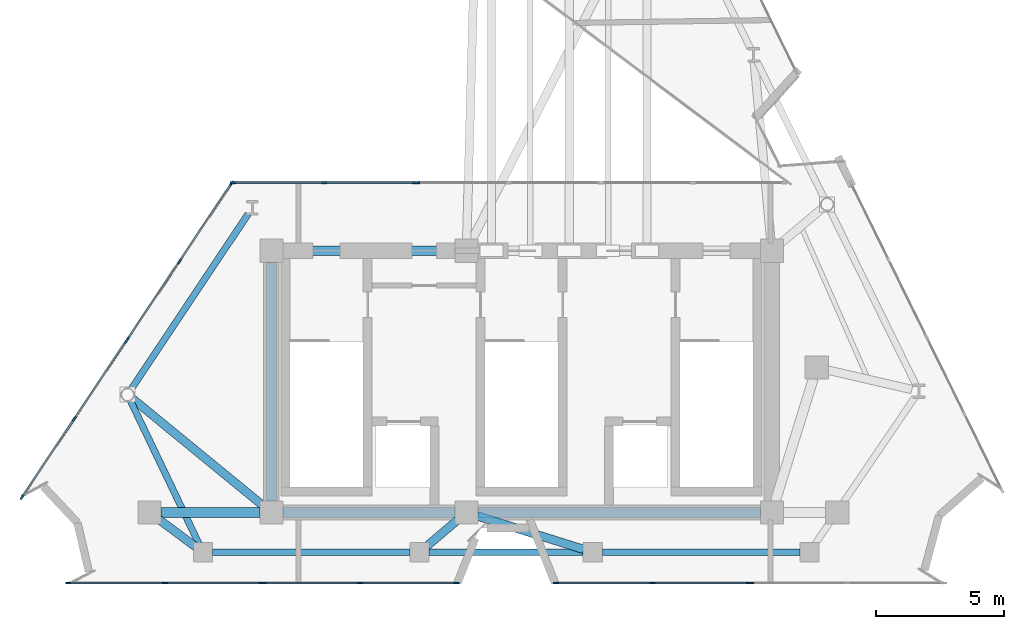
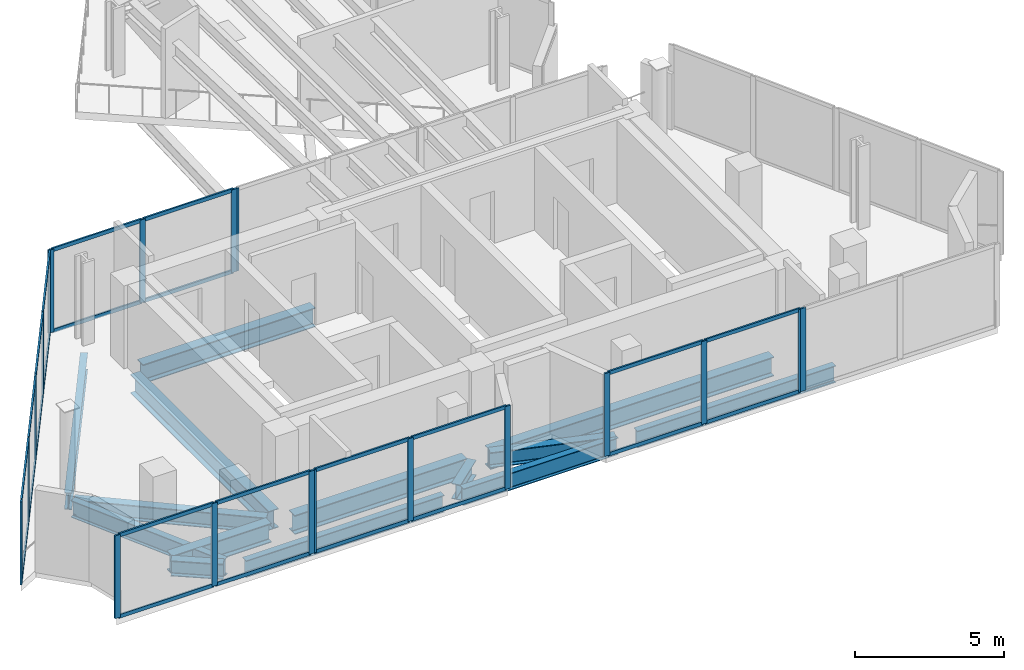
# One storey, part 2 of 7: 44 members, 14 beams, 8 elements without a shape of their own.
"""IFC4 building model written with IfcOpenShell, lengths in metres."""

from ifc_helpers import new_model, si_unit, direction, frame, origin, origin_2d, place, context, subcontext, project, spatial, rectangle, i_section, extrude, material, layer, layer_set, material_profile, profile_set, type_object, element, aggregate, save


model = new_model("IFC4")

# Units and contexts
model_context = context("Model", 3, precision=1e-05, world=origin(), true_north=direction((0.0, 1.0)))
body_context = subcontext(model_context, "Body", "Model", "MODEL_VIEW")
ifc_project = project(units=[si_unit("LENGTHUNIT", "METRE"), si_unit("AREAUNIT", "SQUARE_METRE"), si_unit("VOLUMEUNIT", "CUBIC_METRE"), si_unit("PLANEANGLEUNIT", "RADIAN"), si_unit("MASSUNIT", "GRAM", prefix="KILO")], contexts=[model_context])

# Site, building, storey
site_placement = place(None, origin())
site = spatial("IfcSite", under=ifc_project, at=site_placement, CompositionType="ELEMENT")
building_placement = place(site_placement, origin())
building = spatial("IfcBuilding", under=site, at=building_placement, Name="Almagre Mirador Tower", CompositionType="ELEMENT")
storey_placement = place(building_placement, frame((0.0, 0.0, 318.5)))
storey = spatial("IfcBuildingStorey", under=building, at=storey_placement, Name="L82", CompositionType="ELEMENT", Elevation=318.5)

# Beams
ifc_material_1 = material(Name="Steel ASTM A992 Grade 50", Category="steel")
ifc_material_profile_1 = material_profile(ifc_material_1, i_section(OverallWidth=0.256103515625, OverallDepth=0.693115234375, WebThickness=0.014404296875, FlangeThickness=0.023681640625, FilletRadius=0.02197265625, at=origin_2d()), Name="W27X114")
ifc_profile_set_1 = profile_set([ifc_material_profile_1], Name="Steel ASTM A992 Grade 50")
beam_type_1 = type_object("IfcBeamType", Name="BM-SPN-W27X114", PredefinedType="SPANDREL", material=ifc_profile_set_1)
beam_1_placement = place(storey_placement, frame((25.259033203125, 3.0, -0.646484375), z_axis=(1.0, 0.0, 0.0), x_axis=(0.0, 1.0, 0.0)))
element("IfcBeam", 1, at=beam_1_placement, inside=storey, type_object=beam_type_1, Name="L82 perimeter spandrel beam PC01-PC02", PredefinedType="SPANDREL", context=body_context, shape_type="SweptSolid", body=[
    extrude(i_section(OverallWidth=0.256103515625, OverallDepth=0.693115234375, WebThickness=0.014404296875, FlangeThickness=0.023681640625, FilletRadius=0.02197265625, at=origin_2d()), origin(), (0.0, 0.0, 1.0), 7.68994140625),
])
beam_2_placement = place(storey_placement, frame((33.698974609375, 3.0, -0.646484375), z_axis=(1.0, 0.0, 0.0), x_axis=(0.0, 1.0, 0.0)))
element("IfcBeam", 2, at=beam_2_placement, inside=storey, type_object=beam_type_1, Name="L82 perimeter spandrel beam PC02-PC03", PredefinedType="SPANDREL", context=body_context, shape_type="SweptSolid", body=[
    extrude(i_section(OverallWidth=0.256103515625, OverallDepth=0.693115234375, WebThickness=0.014404296875, FlangeThickness=0.023681640625, FilletRadius=0.02197265625, at=origin_2d()), origin(), (0.0, 0.0, 1.0), 6.001953125),
])
beam_3_placement = place(storey_placement, frame((40.450927734375, 3.0, -0.646484375), z_axis=(1.0, 0.0, 0.0), x_axis=(0.0, 1.0, 0.0)))
element("IfcBeam", 3, at=beam_3_placement, inside=storey, type_object=beam_type_1, Name="L82 perimeter spandrel beam PC03-PC04", PredefinedType="SPANDREL", context=body_context, shape_type="SweptSolid", body=[
    extrude(i_section(OverallWidth=0.256103515625, OverallDepth=0.693115234375, WebThickness=0.014404296875, FlangeThickness=0.023681640625, FilletRadius=0.02197265625, at=origin_2d()), origin(), (0.0, 0.0, 1.0), 7.690185546875),
])
beam_4_placement = place(storey_placement, frame((26.645751953125, 16.18505859375, -0.646484375), z_axis=(-0.555219210279, -0.831704051052, 0.0), x_axis=(0.831704051052, -0.555219210279, 0.0)))
element("IfcBeam", 4, at=beam_4_placement, inside=storey, type_object=beam_type_1, Name="L82 perimeter spandrel beam PC11-PC12", PredefinedType="SPANDREL", context=body_context, shape_type="SweptSolid", body=[
    extrude(i_section(OverallWidth=0.256103515625, OverallDepth=0.693115234375, WebThickness=0.014404296875, FlangeThickness=0.023681640625, FilletRadius=0.02197265625, at=origin_2d()), origin(), (0.0, 0.0, 1.0), 8.248291015625),
])
beam_5_placement = place(storey_placement, frame((22.0390625, 8.943603515625, -0.646484375), z_axis=(0.431747396031, -0.901994559862, 0.0), x_axis=(0.901994559862, 0.431747396031, 0.0)))
element("IfcBeam", 5, at=beam_5_placement, inside=storey, type_object=beam_type_1, Name="L82 perimeter spandrel beam PC12-PC01", PredefinedType="SPANDREL", context=body_context, shape_type="SweptSolid", body=[
    extrude(i_section(OverallWidth=0.256103515625, OverallDepth=0.693115234375, WebThickness=0.014404296875, FlangeThickness=0.023681640625, FilletRadius=0.02197265625, at=origin_2d()), origin(), (0.0, 0.0, 1.0), 6.214599609375),
])
ifc_material_2 = material(Name="Steel ASTM A992 Grade 50", Category="steel")
ifc_material_profile_2 = material_profile(ifc_material_2, i_section(OverallWidth=0.330078125, OverallDepth=0.635009765625, WebThickness=0.017822265625, FlangeThickness=0.031005859375, FilletRadius=0.02001953125, at=origin_2d()), Name="W24X162")
ifc_profile_set_2 = profile_set([ifc_material_profile_2], Name="Steel ASTM A992 Grade 50")
beam_type_2 = type_object("IfcBeamType", Name="BM-STL-W24X162", PredefinedType="BEAM", material=ifc_profile_set_2)
beam_6_placement = place(storey_placement, frame((24.5830078125, 3.223876953125, -0.617431640625), z_axis=(-0.802374373866, 0.596821048693, 0.0), x_axis=(-0.596821048693, -0.802374373866, 0.0)))
element("IfcBeam", 6, at=beam_6_placement, inside=storey, type_object=beam_type_2, Name="L82 radial floor girder PC01-MC1", PredefinedType="BEAM", context=body_context, shape_type="SweptSolid", body=[
    extrude(i_section(OverallWidth=0.330078125, OverallDepth=0.635009765625, WebThickness=0.017822265625, FlangeThickness=0.031005859375, FilletRadius=0.02001953125, at=origin_2d()), origin(), (0.0, 0.0, 1.0), 1.77197265625),
])
beam_7_placement = place(storey_placement, frame((33.60986328125, 3.24267578125, -0.617431640625), z_axis=(0.76236500019, 0.647147283457, 0.0), x_axis=(-0.647147283457, 0.76236500019, 0.0)))
element("IfcBeam", 7, at=beam_7_placement, inside=storey, type_object=beam_type_2, Name="L82 radial floor girder PC02-CC2", PredefinedType="BEAM", context=body_context, shape_type="SweptSolid", body=[
    extrude(i_section(OverallWidth=0.330078125, OverallDepth=0.635009765625, WebThickness=0.017822265625, FlangeThickness=0.031005859375, FilletRadius=0.02001953125, at=origin_2d()), origin(), (0.0, 0.0, 1.0), 1.570068359375),
])
beam_8_placement = place(storey_placement, frame((39.71826171875, 3.112548828125, -0.617431640625), z_axis=(-0.953898482719, 0.300129446518, 0.0), x_axis=(-0.300129446518, -0.953898482719, 0.0)))
element("IfcBeam", 8, at=beam_8_placement, inside=storey, type_object=beam_type_2, Name="L82 radial floor girder PC03-CC2", PredefinedType="BEAM", context=body_context, shape_type="SweptSolid", body=[
    extrude(i_section(OverallWidth=0.330078125, OverallDepth=0.635009765625, WebThickness=0.017822265625, FlangeThickness=0.031005859375, FilletRadius=0.02001953125, at=origin_2d()), origin(), (0.0, 0.0, 1.0), 4.3388671875),
])
beam_9_placement = place(storey_placement, frame((22.1142578125, 9.002685546875, -0.617431640625), z_axis=(0.773594952934, -0.633680399567, 0.0), x_axis=(0.633680399567, 0.773594952934, 0.0)))
element("IfcBeam", 9, at=beam_9_placement, inside=storey, type_object=beam_type_2, Name="L82 radial floor girder PC12-CC1", PredefinedType="BEAM", context=body_context, shape_type="SweptSolid", body=[
    extrude(i_section(OverallWidth=0.330078125, OverallDepth=0.635009765625, WebThickness=0.017822265625, FlangeThickness=0.031005859375, FilletRadius=0.02001953125, at=origin_2d()), origin(), (0.0, 0.0, 1.0), 6.57666015625),
])
ifc_material_3 = material(Name="Steel ASTM A992 Grade 50", Category="steel")
ifc_material_profile_3 = material_profile(ifc_material_3, i_section(OverallWidth=0.384033203125, OverallDepth=0.784912109375, WebThickness=0.019775390625, FlangeThickness=0.033447265625, FilletRadius=0.02392578125, at=origin_2d()), Name="W30X211")
ifc_profile_set_3 = profile_set([ifc_material_profile_3], Name="Steel ASTM A992 Grade 50")
beam_type_3 = type_object("IfcBeamType", Name="BM-STL-W30X211", PredefinedType="BEAM", material=ifc_profile_set_3)
beam_10_placement = place(storey_placement, frame((28.0, 4.550048828125, -0.6923828125), z_axis=(1.0, 0.0, 0.0), x_axis=(0.0, 1.0, 0.0)))
element("IfcBeam", 10, at=beam_10_placement, inside=storey, type_object=beam_type_3, Name="L82 core tie girder CC1-CC2", PredefinedType="BEAM", context=body_context, shape_type="SweptSolid", body=[
    extrude(i_section(OverallWidth=0.384033203125, OverallDepth=0.784912109375, WebThickness=0.019775390625, FlangeThickness=0.033447265625, FilletRadius=0.02392578125, at=origin_2d()), origin(), (0.0, 0.0, 1.0), 6.699951171875),
])
beam_11_placement = place(storey_placement, frame((35.60009765625, 4.550048828125, -0.6923828125), z_axis=(1.0, 0.0, 0.0), x_axis=(0.0, 1.0, 0.0)))
element("IfcBeam", 11, at=beam_11_placement, inside=storey, type_object=beam_type_3, Name="L82 core tie girder CC2-CC3", PredefinedType="BEAM", context=body_context, shape_type="SweptSolid", body=[
    extrude(i_section(OverallWidth=0.384033203125, OverallDepth=0.784912109375, WebThickness=0.019775390625, FlangeThickness=0.033447265625, FilletRadius=0.02392578125, at=origin_2d()), origin(), (0.0, 0.0, 1.0), 11.0),
])
beam_12_placement = place(storey_placement, frame((28.0, 14.75, -0.6923828125), z_axis=(1.0, 0.0, 0.0), x_axis=(0.0, 1.0, 0.0)))
element("IfcBeam", 12, at=beam_12_placement, inside=storey, type_object=beam_type_3, Name="L82 core tie girder CC4-CC5", PredefinedType="BEAM", context=body_context, shape_type="SweptSolid", body=[
    extrude(i_section(OverallWidth=0.384033203125, OverallDepth=0.784912109375, WebThickness=0.019775390625, FlangeThickness=0.033447265625, FilletRadius=0.02392578125, at=origin_2d()), origin(), (0.0, 0.0, 1.0), 6.699951171875),
])
beam_13_placement = place(storey_placement, frame((27.550048828125, 5.0, -0.6923828125), z_axis=(0.0, 1.0, 0.0), x_axis=(-1.0, 0.0, 0.0)))
element("IfcBeam", 13, at=beam_13_placement, inside=storey, type_object=beam_type_3, Name="L82 core tie girder CC1-CC4", PredefinedType="BEAM", context=body_context, shape_type="SweptSolid", body=[
    extrude(i_section(OverallWidth=0.384033203125, OverallDepth=0.784912109375, WebThickness=0.019775390625, FlangeThickness=0.033447265625, FilletRadius=0.02392578125, at=origin_2d()), origin(), (0.0, 0.0, 1.0), 9.300048828125),
])
beam_14_placement = place(storey_placement, frame((23.25, 4.550048828125, -0.6923828125), z_axis=(1.0, 0.0, 0.0), x_axis=(0.0, 1.0, 0.0)))
element("IfcBeam", 14, at=beam_14_placement, inside=storey, type_object=beam_type_3, Name="L82 core tie girder MC1-CC1", PredefinedType="BEAM", context=body_context, shape_type="SweptSolid", body=[
    extrude(i_section(OverallWidth=0.384033203125, OverallDepth=0.784912109375, WebThickness=0.019775390625, FlangeThickness=0.033447265625, FilletRadius=0.02392578125, at=origin_2d()), origin(), (0.0, 0.0, 1.0), 3.85009765625),
])

# Curtain wall, members
ifc_material_4 = material(Name="Black anodized aluminium", Category="aluminium")
ifc_layer = layer(ifc_material_4, 0.2099609375)
ifc_layer_set = layer_set([ifc_layer], Name="Black anodized aluminium")
curtain_wall_type = type_object("IfcCurtainWallType", Name="CW-CRN-SYS", PredefinedType="NOTDEFINED", material=ifc_layer_set)
curtain_wall_1_placement = place(storey_placement, origin())
curtain_wall_1 = element("IfcCurtainWall", 15, at=curtain_wall_1_placement, inside=storey, type_object=curtain_wall_type, Name="L82 curtain wall run 01", PredefinedType="NOTDEFINED")
ifc_material_5 = material(Name="Black anodized aluminium", Category="aluminium")
ifc_material_profile_4 = material_profile(ifc_material_5, rectangle(XDim=0.070068359375, YDim=0.2099609375, at=origin_2d()), Name="CWM70X210")
ifc_profile_set_4 = profile_set([ifc_material_profile_4], Name="Black anodized aluminium")
member_type_1 = type_object("IfcMemberType", Name="MBR-CWM70X210", PredefinedType="MULLION", material=ifc_profile_set_4)
member_1_placement = place(storey_placement, frame((17.840576171875, 5.15625, 0.0), z_axis=(0.0, 0.0, 1.0), x_axis=(-0.83170398824, 0.555219304371, 0.0)))
member_1 = element("IfcMember", 16, at=member_1_placement, type_object=member_type_1, Name="CW-6 mullion 1", PredefinedType="MULLION", context=body_context, shape_type="SweptSolid", body=[
    extrude(rectangle(XDim=0.070068359375, YDim=0.2099609375, at=origin_2d()), origin(), (0.0, 0.0, 1.0), 3.39990234375),
])
member_2_placement = place(storey_placement, frame((19.869384765625, 8.1953125, 0.0), z_axis=(0.0, 0.0, 1.0), x_axis=(-0.83170398824, 0.555219304371, 0.0)))
member_2 = element("IfcMember", 17, at=member_2_placement, type_object=member_type_1, Name="CW-6 mullion 2", PredefinedType="MULLION", context=body_context, shape_type="SweptSolid", body=[
    extrude(rectangle(XDim=0.070068359375, YDim=0.2099609375, at=origin_2d()), origin(), (0.0, 0.0, 1.0), 3.39990234375),
])
member_3_placement = place(storey_placement, frame((21.89794921875, 11.234375, 0.0), z_axis=(0.0, 0.0, 1.0), x_axis=(-0.83170398824, 0.555219304371, 0.0)))
member_3 = element("IfcMember", 18, at=member_3_placement, type_object=member_type_1, Name="CW-6 mullion 3", PredefinedType="MULLION", context=body_context, shape_type="SweptSolid", body=[
    extrude(rectangle(XDim=0.070068359375, YDim=0.2099609375, at=origin_2d()), origin(), (0.0, 0.0, 1.0), 3.39990234375),
])

curtain_wall_2_placement = place(storey_placement, origin())
curtain_wall_2 = element("IfcCurtainWall", 19, at=curtain_wall_2_placement, inside=storey, type_object=curtain_wall_type, Name="L82 curtain wall run 02", PredefinedType="NOTDEFINED")
member_4_placement = place(storey_placement, frame((21.93701171875, 11.292724609375, 0.0), z_axis=(0.0, 0.0, 1.0), x_axis=(-0.83170398824, 0.555219304371, 0.0)))
member_4 = element("IfcMember", 20, at=member_4_placement, type_object=member_type_1, Name="CW-6 mullion 1", PredefinedType="MULLION", context=body_context, shape_type="SweptSolid", body=[
    extrude(rectangle(XDim=0.070068359375, YDim=0.2099609375, at=origin_2d()), origin(), (0.0, 0.0, 1.0), 3.39990234375),
])
member_5_placement = place(storey_placement, frame((23.9658203125, 14.33154296875, 0.0), z_axis=(0.0, 0.0, 1.0), x_axis=(-0.83170398824, 0.555219304371, 0.0)))
member_5 = element("IfcMember", 21, at=member_5_placement, type_object=member_type_1, Name="CW-6 mullion 2", PredefinedType="MULLION", context=body_context, shape_type="SweptSolid", body=[
    extrude(rectangle(XDim=0.070068359375, YDim=0.2099609375, at=origin_2d()), origin(), (0.0, 0.0, 1.0), 3.39990234375),
])
member_6_placement = place(storey_placement, frame((25.994384765625, 17.37060546875, 0.0), z_axis=(0.0, 0.0, 1.0), x_axis=(-0.83170398824, 0.555219304371, 0.0)))
member_6 = element("IfcMember", 22, at=member_6_placement, type_object=member_type_1, Name="CW-6 mullion 3", PredefinedType="MULLION", context=body_context, shape_type="SweptSolid", body=[
    extrude(rectangle(XDim=0.070068359375, YDim=0.2099609375, at=origin_2d()), origin(), (0.0, 0.0, 1.0), 3.39990234375),
])

curtain_wall_3_placement = place(storey_placement, origin())
curtain_wall_3 = element("IfcCurtainWall", 23, at=curtain_wall_3_placement, inside=storey, type_object=curtain_wall_type, Name="L82 curtain wall run 03", PredefinedType="NOTDEFINED")
member_7_placement = place(storey_placement, frame((26.04931640625, 17.39990234375, 0.0), z_axis=(0.0, 0.0, 1.0), x_axis=(0.0, 1.0, 0.0)))
member_7 = element("IfcMember", 24, at=member_7_placement, type_object=member_type_1, Name="CW-6 mullion 1", PredefinedType="MULLION", context=body_context, shape_type="SweptSolid", body=[
    extrude(rectangle(XDim=0.070068359375, YDim=0.2099609375, at=origin_2d()), origin(), (0.0, 0.0, 1.0), 3.39990234375),
])
member_8_placement = place(storey_placement, frame((29.60693359375, 17.39990234375, 0.0), z_axis=(0.0, 0.0, 1.0), x_axis=(0.0, 1.0, 0.0)))
member_8 = element("IfcMember", 25, at=member_8_placement, type_object=member_type_1, Name="CW-6 mullion 2", PredefinedType="MULLION", context=body_context, shape_type="SweptSolid", body=[
    extrude(rectangle(XDim=0.070068359375, YDim=0.2099609375, at=origin_2d()), origin(), (0.0, 0.0, 1.0), 3.39990234375),
])
member_9_placement = place(storey_placement, frame((33.16455078125, 17.39990234375, 0.0), z_axis=(0.0, 0.0, 1.0), x_axis=(0.0, 1.0, 0.0)))
member_9 = element("IfcMember", 26, at=member_9_placement, type_object=member_type_1, Name="CW-6 mullion 3", PredefinedType="MULLION", context=body_context, shape_type="SweptSolid", body=[
    extrude(rectangle(XDim=0.070068359375, YDim=0.2099609375, at=origin_2d()), origin(), (0.0, 0.0, 1.0), 3.39990234375),
])

# Curtain wall, member
curtain_wall_4_placement = place(storey_placement, origin())
curtain_wall_4 = element("IfcCurtainWall", 27, at=curtain_wall_4_placement, inside=storey, type_object=curtain_wall_type, Name="L82 curtain wall run 04", PredefinedType="NOTDEFINED")
member_10_placement = place(storey_placement, frame((33.234619140625, 17.39990234375, 0.0), z_axis=(0.0, 0.0, 1.0), x_axis=(0.0, 1.0, 0.0)))
member_10 = element("IfcMember", 28, at=member_10_placement, type_object=member_type_1, Name="CW-6 mullion 1", PredefinedType="MULLION", context=body_context, shape_type="SweptSolid", body=[
    extrude(rectangle(XDim=0.070068359375, YDim=0.2099609375, at=origin_2d()), origin(), (0.0, 0.0, 1.0), 3.39990234375),
])
aggregate(curtain_wall_4, [member_10])

curtain_wall_5_placement = place(storey_placement, origin())
curtain_wall_5 = element("IfcCurtainWall", 29, at=curtain_wall_5_placement, inside=storey, type_object=curtain_wall_type, Name="L82 curtain wall run 10", PredefinedType="NOTDEFINED")
member_11_placement = place(storey_placement, frame((46.235107421875, 1.800048828125, 0.0), z_axis=(0.0, 0.0, 1.0), x_axis=(0.0, -1.0, 0.0)))
member_11 = element("IfcMember", 30, at=member_11_placement, type_object=member_type_1, Name="CW-6 mullion 3", PredefinedType="MULLION", context=body_context, shape_type="SweptSolid", body=[
    extrude(rectangle(XDim=0.070068359375, YDim=0.2099609375, at=origin_2d()), origin(), (0.0, 0.0, 1.0), 3.39990234375),
])
aggregate(curtain_wall_5, [member_11])

# Curtain wall, members
curtain_wall_6_placement = place(storey_placement, origin())
curtain_wall_6 = element("IfcCurtainWall", 31, at=curtain_wall_6_placement, inside=storey, type_object=curtain_wall_type, Name="L82 curtain wall run 11", PredefinedType="NOTDEFINED")
member_12_placement = place(storey_placement, frame((46.1650390625, 1.800048828125, 0.0), z_axis=(0.0, 0.0, 1.0), x_axis=(0.0, -1.0, 0.0)))
member_12 = element("IfcMember", 32, at=member_12_placement, type_object=member_type_1, Name="CW-6 mullion 1", PredefinedType="MULLION", context=body_context, shape_type="SweptSolid", body=[
    extrude(rectangle(XDim=0.070068359375, YDim=0.2099609375, at=origin_2d()), origin(), (0.0, 0.0, 1.0), 3.39990234375),
])
member_13_placement = place(storey_placement, frame((42.400146484375, 1.800048828125, 0.0), z_axis=(0.0, 0.0, 1.0), x_axis=(0.0, -1.0, 0.0)))
member_13 = element("IfcMember", 33, at=member_13_placement, type_object=member_type_1, Name="CW-6 mullion 2", PredefinedType="MULLION", context=body_context, shape_type="SweptSolid", body=[
    extrude(rectangle(XDim=0.070068359375, YDim=0.2099609375, at=origin_2d()), origin(), (0.0, 0.0, 1.0), 3.39990234375),
])
member_14_placement = place(storey_placement, frame((38.63525390625, 1.800048828125, 0.0), z_axis=(0.0, 0.0, 1.0), x_axis=(0.0, -1.0, 0.0)))
member_14 = element("IfcMember", 34, at=member_14_placement, type_object=member_type_1, Name="CW-6 mullion 3", PredefinedType="MULLION", context=body_context, shape_type="SweptSolid", body=[
    extrude(rectangle(XDim=0.070068359375, YDim=0.2099609375, at=origin_2d()), origin(), (0.0, 0.0, 1.0), 3.39990234375),
])

curtain_wall_7_placement = place(storey_placement, origin())
curtain_wall_7 = element("IfcCurtainWall", 35, at=curtain_wall_7_placement, inside=storey, type_object=curtain_wall_type, Name="L82 curtain wall run 12", PredefinedType="NOTDEFINED")
member_15_placement = place(storey_placement, frame((34.764892578125, 1.800048828125, 0.0), z_axis=(0.0, 0.0, 1.0), x_axis=(0.0, -1.0, 0.0)))
member_15 = element("IfcMember", 36, at=member_15_placement, type_object=member_type_1, Name="CW-6 mullion 1", PredefinedType="MULLION", context=body_context, shape_type="SweptSolid", body=[
    extrude(rectangle(XDim=0.070068359375, YDim=0.2099609375, at=origin_2d()), origin(), (0.0, 0.0, 1.0), 3.39990234375),
])
member_16_placement = place(storey_placement, frame((31.0, 1.800048828125, 0.0), z_axis=(0.0, 0.0, 1.0), x_axis=(0.0, -1.0, 0.0)))
member_16 = element("IfcMember", 37, at=member_16_placement, type_object=member_type_1, Name="CW-6 mullion 2", PredefinedType="MULLION", context=body_context, shape_type="SweptSolid", body=[
    extrude(rectangle(XDim=0.070068359375, YDim=0.2099609375, at=origin_2d()), origin(), (0.0, 0.0, 1.0), 3.39990234375),
])
member_17_placement = place(storey_placement, frame((27.235107421875, 1.800048828125, 0.0), z_axis=(0.0, 0.0, 1.0), x_axis=(0.0, -1.0, 0.0)))
member_17 = element("IfcMember", 38, at=member_17_placement, type_object=member_type_1, Name="CW-6 mullion 3", PredefinedType="MULLION", context=body_context, shape_type="SweptSolid", body=[
    extrude(rectangle(XDim=0.070068359375, YDim=0.2099609375, at=origin_2d()), origin(), (0.0, 0.0, 1.0), 3.39990234375),
])

curtain_wall_8_placement = place(storey_placement, origin())
curtain_wall_8 = element("IfcCurtainWall", 39, at=curtain_wall_8_placement, inside=storey, type_object=curtain_wall_type, Name="L82 curtain wall run 13", PredefinedType="NOTDEFINED")
member_18_placement = place(storey_placement, frame((27.1650390625, 1.800048828125, 0.0), z_axis=(0.0, 0.0, 1.0), x_axis=(0.0, -1.0, 0.0)))
member_18 = element("IfcMember", 40, at=member_18_placement, type_object=member_type_1, Name="CW-6 mullion 1", PredefinedType="MULLION", context=body_context, shape_type="SweptSolid", body=[
    extrude(rectangle(XDim=0.070068359375, YDim=0.2099609375, at=origin_2d()), origin(), (0.0, 0.0, 1.0), 3.39990234375),
])
member_19_placement = place(storey_placement, frame((23.400146484375, 1.800048828125, 0.0), z_axis=(0.0, 0.0, 1.0), x_axis=(0.0, -1.0, 0.0)))
member_19 = element("IfcMember", 41, at=member_19_placement, type_object=member_type_1, Name="CW-6 mullion 2", PredefinedType="MULLION", context=body_context, shape_type="SweptSolid", body=[
    extrude(rectangle(XDim=0.070068359375, YDim=0.2099609375, at=origin_2d()), origin(), (0.0, 0.0, 1.0), 3.39990234375),
])
member_20_placement = place(storey_placement, frame((19.63525390625, 1.800048828125, 0.0), z_axis=(0.0, 0.0, 1.0), x_axis=(0.0, -1.0, 0.0)))
member_20 = element("IfcMember", 42, at=member_20_placement, type_object=member_type_1, Name="CW-6 mullion 3", PredefinedType="MULLION", context=body_context, shape_type="SweptSolid", body=[
    extrude(rectangle(XDim=0.070068359375, YDim=0.2099609375, at=origin_2d()), origin(), (0.0, 0.0, 1.0), 3.39990234375),
])

# Member
ifc_material_6 = material(Name="Black anodized aluminium", Category="aluminium")
ifc_material_profile_5 = material_profile(ifc_material_6, rectangle(XDim=0.06494140625, YDim=0.14990234375, at=origin_2d()), Name="CWT65X150")
ifc_profile_set_5 = profile_set([ifc_material_profile_5], Name="Black anodized aluminium")
member_type_2 = type_object("IfcMemberType", Name="MBR-CWT65X150", PredefinedType="USERDEFINED", material=ifc_profile_set_5)
member_21_placement = place(storey_placement, frame((17.85986328125, 5.185302734375, 0.032470703125), z_axis=(0.555218822922, 0.83170430964, 0.0), x_axis=(-0.83170430964, 0.555218822922, 0.0)))
member_21 = element("IfcMember", 43, at=member_21_placement, type_object=member_type_2, Name="CW-6 transom 1.1", ObjectType="TRANSOM", PredefinedType="USERDEFINED", context=body_context, shape_type="SweptSolid", body=[
    extrude(rectangle(XDim=0.06494140625, YDim=0.14990234375, at=origin_2d()), origin(), (0.0, 0.0, 1.0), 3.584228515625),
])

member_22_placement = place(storey_placement, frame((17.85986328125, 5.185302734375, 3.367431640625), z_axis=(0.555218822922, 0.83170430964, 0.0), x_axis=(-0.83170430964, 0.555218822922, 0.0)))
member_22 = element("IfcMember", 44, at=member_22_placement, type_object=member_type_2, Name="CW-6 transom 1.2", ObjectType="TRANSOM", PredefinedType="USERDEFINED", context=body_context, shape_type="SweptSolid", body=[
    extrude(rectangle(XDim=0.06494140625, YDim=0.14990234375, at=origin_2d()), origin(), (0.0, 0.0, 1.0), 3.584228515625),
])

member_23_placement = place(storey_placement, frame((19.888671875, 8.224365234375, 0.032470703125), z_axis=(0.555218822922, 0.83170430964, 0.0), x_axis=(-0.83170430964, 0.555218822922, 0.0)))
member_23 = element("IfcMember", 45, at=member_23_placement, type_object=member_type_2, Name="CW-6 transom 2.1", ObjectType="TRANSOM", PredefinedType="USERDEFINED", context=body_context, shape_type="SweptSolid", body=[
    extrude(rectangle(XDim=0.06494140625, YDim=0.14990234375, at=origin_2d()), origin(), (0.0, 0.0, 1.0), 3.584228515625),
])

member_24_placement = place(storey_placement, frame((19.888671875, 8.224365234375, 3.367431640625), z_axis=(0.555218822922, 0.83170430964, 0.0), x_axis=(-0.83170430964, 0.555218822922, 0.0)))
member_24 = element("IfcMember", 46, at=member_24_placement, type_object=member_type_2, Name="CW-6 transom 2.2", ObjectType="TRANSOM", PredefinedType="USERDEFINED", context=body_context, shape_type="SweptSolid", body=[
    extrude(rectangle(XDim=0.06494140625, YDim=0.14990234375, at=origin_2d()), origin(), (0.0, 0.0, 1.0), 3.584228515625),
])

aggregate(curtain_wall_1, [member_1, member_2, member_3, member_21, member_22, member_23, member_24])

member_25_placement = place(storey_placement, frame((21.956298828125, 11.32177734375, 0.032470703125), z_axis=(0.55525027907, 0.831683309675, 0.0), x_axis=(-0.831683309675, 0.55525027907, 0.0)))
member_25 = element("IfcMember", 47, at=member_25_placement, type_object=member_type_2, Name="CW-6 transom 1.1", ObjectType="TRANSOM", PredefinedType="USERDEFINED", context=body_context, shape_type="SweptSolid", body=[
    extrude(rectangle(XDim=0.06494140625, YDim=0.14990234375, at=origin_2d()), origin(), (0.0, 0.0, 1.0), 3.583984375),
])

member_26_placement = place(storey_placement, frame((21.956298828125, 11.32177734375, 3.367431640625), z_axis=(0.55525027907, 0.831683309675, 0.0), x_axis=(-0.831683309675, 0.55525027907, 0.0)))
member_26 = element("IfcMember", 48, at=member_26_placement, type_object=member_type_2, Name="CW-6 transom 1.2", ObjectType="TRANSOM", PredefinedType="USERDEFINED", context=body_context, shape_type="SweptSolid", body=[
    extrude(rectangle(XDim=0.06494140625, YDim=0.14990234375, at=origin_2d()), origin(), (0.0, 0.0, 1.0), 3.583984375),
])

member_27_placement = place(storey_placement, frame((23.985107421875, 14.36083984375, 0.032470703125), z_axis=(0.55525027907, 0.831683309675, 0.0), x_axis=(-0.831683309675, 0.55525027907, 0.0)))
member_27 = element("IfcMember", 49, at=member_27_placement, type_object=member_type_2, Name="CW-6 transom 2.1", ObjectType="TRANSOM", PredefinedType="USERDEFINED", context=body_context, shape_type="SweptSolid", body=[
    extrude(rectangle(XDim=0.06494140625, YDim=0.14990234375, at=origin_2d()), origin(), (0.0, 0.0, 1.0), 3.583984375),
])

member_28_placement = place(storey_placement, frame((23.985107421875, 14.36083984375, 3.367431640625), z_axis=(0.55525027907, 0.831683309675, 0.0), x_axis=(-0.831683309675, 0.55525027907, 0.0)))
member_28 = element("IfcMember", 50, at=member_28_placement, type_object=member_type_2, Name="CW-6 transom 2.2", ObjectType="TRANSOM", PredefinedType="USERDEFINED", context=body_context, shape_type="SweptSolid", body=[
    extrude(rectangle(XDim=0.06494140625, YDim=0.14990234375, at=origin_2d()), origin(), (0.0, 0.0, 1.0), 3.583984375),
])

aggregate(curtain_wall_2, [member_4, member_5, member_6, member_25, member_26, member_27, member_28])

member_29_placement = place(storey_placement, frame((26.084228515625, 17.39990234375, 0.032470703125), z_axis=(1.0, 0.0, 0.0), x_axis=(0.0, 1.0, 0.0)))
member_29 = element("IfcMember", 51, at=member_29_placement, type_object=member_type_2, Name="CW-6 transom 1.1", ObjectType="TRANSOM", PredefinedType="USERDEFINED", context=body_context, shape_type="SweptSolid", body=[
    extrude(rectangle(XDim=0.06494140625, YDim=0.14990234375, at=origin_2d()), origin(), (0.0, 0.0, 1.0), 3.48779296875),
])

member_30_placement = place(storey_placement, frame((26.084228515625, 17.39990234375, 3.367431640625), z_axis=(1.0, 0.0, 0.0), x_axis=(0.0, 1.0, 0.0)))
member_30 = element("IfcMember", 52, at=member_30_placement, type_object=member_type_2, Name="CW-6 transom 1.2", ObjectType="TRANSOM", PredefinedType="USERDEFINED", context=body_context, shape_type="SweptSolid", body=[
    extrude(rectangle(XDim=0.06494140625, YDim=0.14990234375, at=origin_2d()), origin(), (0.0, 0.0, 1.0), 3.48779296875),
])

member_31_placement = place(storey_placement, frame((29.641845703125, 17.39990234375, 0.032470703125), z_axis=(1.0, 0.0, 0.0), x_axis=(0.0, 1.0, 0.0)))
member_31 = element("IfcMember", 53, at=member_31_placement, type_object=member_type_2, Name="CW-6 transom 2.1", ObjectType="TRANSOM", PredefinedType="USERDEFINED", context=body_context, shape_type="SweptSolid", body=[
    extrude(rectangle(XDim=0.06494140625, YDim=0.14990234375, at=origin_2d()), origin(), (0.0, 0.0, 1.0), 3.487548828125),
])

member_32_placement = place(storey_placement, frame((29.641845703125, 17.39990234375, 3.367431640625), z_axis=(1.0, 0.0, 0.0), x_axis=(0.0, 1.0, 0.0)))
member_32 = element("IfcMember", 54, at=member_32_placement, type_object=member_type_2, Name="CW-6 transom 2.2", ObjectType="TRANSOM", PredefinedType="USERDEFINED", context=body_context, shape_type="SweptSolid", body=[
    extrude(rectangle(XDim=0.06494140625, YDim=0.14990234375, at=origin_2d()), origin(), (0.0, 0.0, 1.0), 3.487548828125),
])

aggregate(curtain_wall_3, [member_7, member_8, member_9, member_29, member_30, member_31, member_32])

member_33_placement = place(storey_placement, frame((46.1298828125, 1.800048828125, 0.032470703125), z_axis=(-1.0, 0.0, 0.0), x_axis=(0.0, -1.0, 0.0)))
member_33 = element("IfcMember", 55, at=member_33_placement, type_object=member_type_2, Name="CW-6 transom 1.1", ObjectType="TRANSOM", PredefinedType="USERDEFINED", context=body_context, shape_type="SweptSolid", body=[
    extrude(rectangle(XDim=0.06494140625, YDim=0.14990234375, at=origin_2d()), origin(), (0.0, 0.0, 1.0), 3.69482421875),
])

member_34_placement = place(storey_placement, frame((46.1298828125, 1.800048828125, 3.367431640625), z_axis=(-1.0, 0.0, 0.0), x_axis=(0.0, -1.0, 0.0)))
member_34 = element("IfcMember", 56, at=member_34_placement, type_object=member_type_2, Name="CW-6 transom 1.2", ObjectType="TRANSOM", PredefinedType="USERDEFINED", context=body_context, shape_type="SweptSolid", body=[
    extrude(rectangle(XDim=0.06494140625, YDim=0.14990234375, at=origin_2d()), origin(), (0.0, 0.0, 1.0), 3.69482421875),
])

member_35_placement = place(storey_placement, frame((42.364990234375, 1.800048828125, 0.032470703125), z_axis=(-1.0, 0.0, 0.0), x_axis=(0.0, -1.0, 0.0)))
member_35 = element("IfcMember", 57, at=member_35_placement, type_object=member_type_2, Name="CW-6 transom 2.1", ObjectType="TRANSOM", PredefinedType="USERDEFINED", context=body_context, shape_type="SweptSolid", body=[
    extrude(rectangle(XDim=0.06494140625, YDim=0.14990234375, at=origin_2d()), origin(), (0.0, 0.0, 1.0), 3.69482421875),
])

member_36_placement = place(storey_placement, frame((42.364990234375, 1.800048828125, 3.367431640625), z_axis=(-1.0, 0.0, 0.0), x_axis=(0.0, -1.0, 0.0)))
member_36 = element("IfcMember", 58, at=member_36_placement, type_object=member_type_2, Name="CW-6 transom 2.2", ObjectType="TRANSOM", PredefinedType="USERDEFINED", context=body_context, shape_type="SweptSolid", body=[
    extrude(rectangle(XDim=0.06494140625, YDim=0.14990234375, at=origin_2d()), origin(), (0.0, 0.0, 1.0), 3.69482421875),
])

aggregate(curtain_wall_6, [member_12, member_13, member_14, member_33, member_34, member_35, member_36])

member_37_placement = place(storey_placement, frame((34.729736328125, 1.800048828125, 0.032470703125), z_axis=(-1.0, 0.0, 0.0), x_axis=(0.0, -1.0, 0.0)))
member_37 = element("IfcMember", 59, at=member_37_placement, type_object=member_type_2, Name="CW-6 transom 1.1", ObjectType="TRANSOM", PredefinedType="USERDEFINED", context=body_context, shape_type="SweptSolid", body=[
    extrude(rectangle(XDim=0.06494140625, YDim=0.14990234375, at=origin_2d()), origin(), (0.0, 0.0, 1.0), 3.69482421875),
])

member_38_placement = place(storey_placement, frame((34.729736328125, 1.800048828125, 3.367431640625), z_axis=(-1.0, 0.0, 0.0), x_axis=(0.0, -1.0, 0.0)))
member_38 = element("IfcMember", 60, at=member_38_placement, type_object=member_type_2, Name="CW-6 transom 1.2", ObjectType="TRANSOM", PredefinedType="USERDEFINED", context=body_context, shape_type="SweptSolid", body=[
    extrude(rectangle(XDim=0.06494140625, YDim=0.14990234375, at=origin_2d()), origin(), (0.0, 0.0, 1.0), 3.69482421875),
])

member_39_placement = place(storey_placement, frame((30.96484375, 1.800048828125, 0.032470703125), z_axis=(-1.0, 0.0, 0.0), x_axis=(0.0, -1.0, 0.0)))
member_39 = element("IfcMember", 61, at=member_39_placement, type_object=member_type_2, Name="CW-6 transom 2.1", ObjectType="TRANSOM", PredefinedType="USERDEFINED", context=body_context, shape_type="SweptSolid", body=[
    extrude(rectangle(XDim=0.06494140625, YDim=0.14990234375, at=origin_2d()), origin(), (0.0, 0.0, 1.0), 3.69482421875),
])

member_40_placement = place(storey_placement, frame((30.96484375, 1.800048828125, 3.367431640625), z_axis=(-1.0, 0.0, 0.0), x_axis=(0.0, -1.0, 0.0)))
member_40 = element("IfcMember", 62, at=member_40_placement, type_object=member_type_2, Name="CW-6 transom 2.2", ObjectType="TRANSOM", PredefinedType="USERDEFINED", context=body_context, shape_type="SweptSolid", body=[
    extrude(rectangle(XDim=0.06494140625, YDim=0.14990234375, at=origin_2d()), origin(), (0.0, 0.0, 1.0), 3.69482421875),
])

aggregate(curtain_wall_7, [member_15, member_16, member_17, member_37, member_38, member_39, member_40])

member_41_placement = place(storey_placement, frame((27.1298828125, 1.800048828125, 0.032470703125), z_axis=(-1.0, 0.0, 0.0), x_axis=(0.0, -1.0, 0.0)))
member_41 = element("IfcMember", 63, at=member_41_placement, type_object=member_type_2, Name="CW-6 transom 1.1", ObjectType="TRANSOM", PredefinedType="USERDEFINED", context=body_context, shape_type="SweptSolid", body=[
    extrude(rectangle(XDim=0.06494140625, YDim=0.14990234375, at=origin_2d()), origin(), (0.0, 0.0, 1.0), 3.69482421875),
])

member_42_placement = place(storey_placement, frame((27.1298828125, 1.800048828125, 3.367431640625), z_axis=(-1.0, 0.0, 0.0), x_axis=(0.0, -1.0, 0.0)))
member_42 = element("IfcMember", 64, at=member_42_placement, type_object=member_type_2, Name="CW-6 transom 1.2", ObjectType="TRANSOM", PredefinedType="USERDEFINED", context=body_context, shape_type="SweptSolid", body=[
    extrude(rectangle(XDim=0.06494140625, YDim=0.14990234375, at=origin_2d()), origin(), (0.0, 0.0, 1.0), 3.69482421875),
])

member_43_placement = place(storey_placement, frame((23.364990234375, 1.800048828125, 0.032470703125), z_axis=(-1.0, 0.0, 0.0), x_axis=(0.0, -1.0, 0.0)))
member_43 = element("IfcMember", 65, at=member_43_placement, type_object=member_type_2, Name="CW-6 transom 2.1", ObjectType="TRANSOM", PredefinedType="USERDEFINED", context=body_context, shape_type="SweptSolid", body=[
    extrude(rectangle(XDim=0.06494140625, YDim=0.14990234375, at=origin_2d()), origin(), (0.0, 0.0, 1.0), 3.69482421875),
])

member_44_placement = place(storey_placement, frame((23.364990234375, 1.800048828125, 3.367431640625), z_axis=(-1.0, 0.0, 0.0), x_axis=(0.0, -1.0, 0.0)))
member_44 = element("IfcMember", 66, at=member_44_placement, type_object=member_type_2, Name="CW-6 transom 2.2", ObjectType="TRANSOM", PredefinedType="USERDEFINED", context=body_context, shape_type="SweptSolid", body=[
    extrude(rectangle(XDim=0.06494140625, YDim=0.14990234375, at=origin_2d()), origin(), (0.0, 0.0, 1.0), 3.69482421875),
])

aggregate(curtain_wall_8, [member_18, member_19, member_20, member_41, member_42, member_43, member_44])

save(model, "model.ifc")
